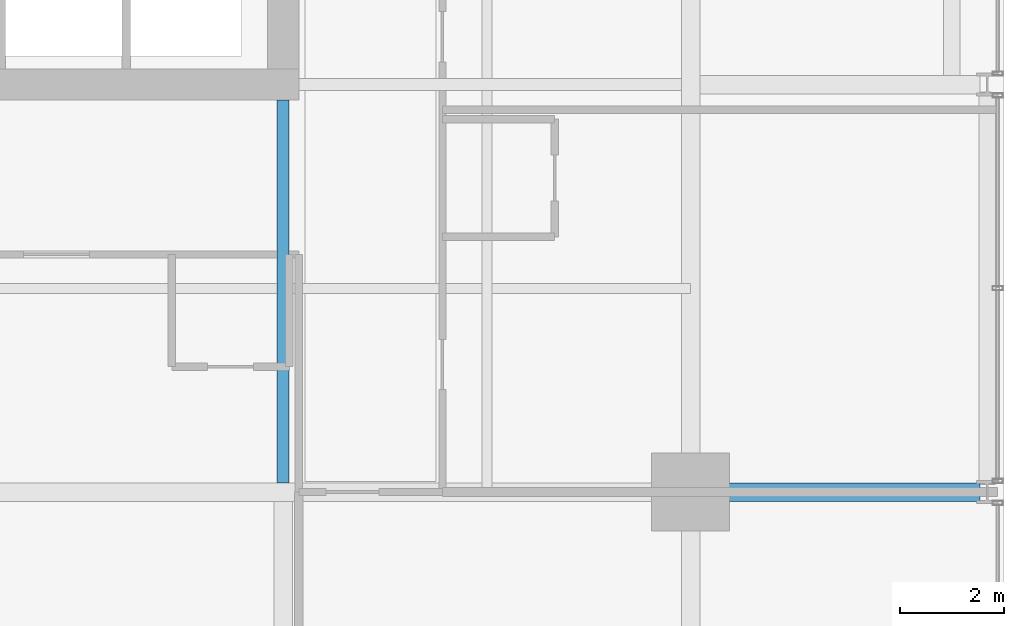
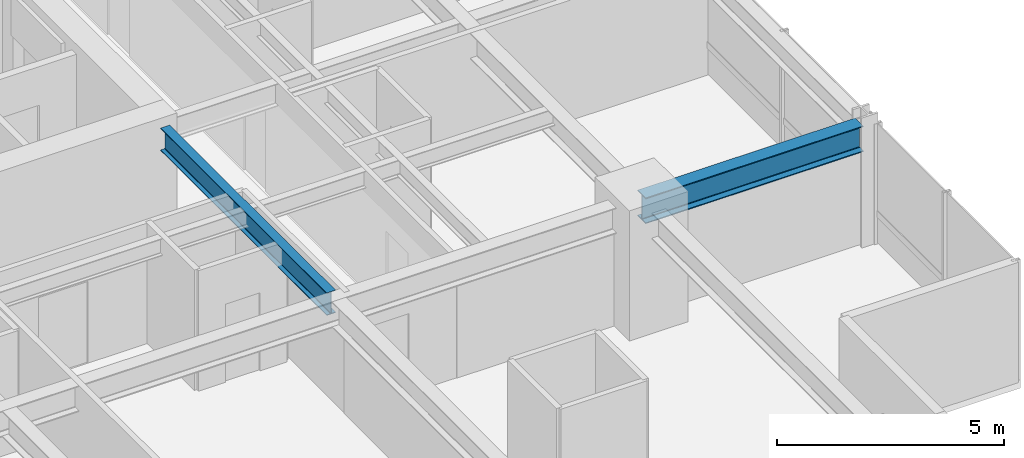
# One storey, part 12 of 35: 2 beams.
"""IFC4 building model written with IfcOpenShell, lengths in metres."""

from ifc_helpers import new_model, si_unit, direction, frame, origin, origin_2d, place, context, subcontext, project, spatial, i_section, extrude, material, material_profile, profile_set, type_object, element, save


model = new_model("IFC4")

# Units and contexts
model_context = context("Model", 3, precision=1e-05, world=origin(), true_north=direction((0.0, 1.0)))
body_context = subcontext(model_context, "Body", "Model", "MODEL_VIEW")
ifc_project = project(units=[si_unit("LENGTHUNIT", "METRE"), si_unit("AREAUNIT", "SQUARE_METRE"), si_unit("VOLUMEUNIT", "CUBIC_METRE"), si_unit("PLANEANGLEUNIT", "RADIAN"), si_unit("MASSUNIT", "GRAM", prefix="KILO")], contexts=[model_context])

# Site, building, storey
site_placement = place(None, origin())
site = spatial("IfcSite", under=ifc_project, at=site_placement, CompositionType="ELEMENT")
building_placement = place(site_placement, origin())
building = spatial("IfcBuilding", under=site, at=building_placement, Name="Drelvath Grand Hotel", CompositionType="ELEMENT")
storey_placement = place(building_placement, frame((0.0, 0.0, 123.300048828125)))
storey = spatial("IfcBuildingStorey", under=building, at=storey_placement, Name="L31", CompositionType="ELEMENT", Elevation=123.300048828125)

# Beams
ifc_material = material(Name="Steel ASTM A992 Gr 50", Category="steel")
ifc_material_profile_1 = material_profile(ifc_material, i_section(OverallWidth=0.228271484375, OverallDepth=0.607666015625, WebThickness=0.01123046875, FlangeThickness=0.017333984375, FilletRadius=0.02001953125, at=origin_2d()), Name="W24X76")
ifc_profile_set_1 = profile_set([ifc_material_profile_1], Name="Steel ASTM A992 Gr 50")
beam_type_1 = type_object("IfcBeamType", Name="Primary Floor Girder W24X76", PredefinedType="BEAM", material=ifc_profile_set_1)
beam_1_placement = place(storey_placement, frame((8.39990234375, 10.977294921875, 2.93603515625), z_axis=(0.0, 1.0, 0.0), x_axis=(-1.0, 0.0, 0.0)))
element("IfcBeam", 1, at=beam_1_placement, inside=storey, type_object=beam_type_1, Name="L31 South Core Tie 6", PredefinedType="BEAM", context=body_context, shape_type="SweptSolid", body=[
    extrude(i_section(OverallWidth=0.228271484375, OverallDepth=0.607666015625, WebThickness=0.01123046875, FlangeThickness=0.017333984375, FilletRadius=0.02001953125, at=origin_2d()), origin(), (0.0, 0.0, 1.0), 7.32275390625),
])
ifc_material_profile_2 = material_profile(ifc_material, i_section(OverallWidth=0.354736328125, OverallDepth=0.695556640625, WebThickness=0.015380859375, FlangeThickness=0.025146484375, FilletRadius=0.02392578125, at=origin_2d()), Name="W27X146")
ifc_profile_set_2 = profile_set([ifc_material_profile_2], Name="Steel ASTM A992 Gr 50")
beam_type_2 = type_object("IfcBeamType", Name="Primary Floor Girder W27X146", PredefinedType="BEAM", material=ifc_profile_set_2)
beam_2_placement = place(storey_placement, frame((16.199951171875, 10.800048828125, 2.892333984375), z_axis=(1.0, 0.0, 0.0), x_axis=(0.0, 1.0, 0.0)))
element("IfcBeam", 2, at=beam_2_placement, inside=storey, type_object=beam_type_2, Name="L31 East Grid Girder C", PredefinedType="BEAM", context=body_context, shape_type="SweptSolid", body=[
    extrude(i_section(OverallWidth=0.354736328125, OverallDepth=0.695556640625, WebThickness=0.015380859375, FlangeThickness=0.025146484375, FilletRadius=0.02392578125, at=origin_2d()), origin(), (0.0, 0.0, 1.0), 5.5400390625),
])

save(model, "model.ifc")
